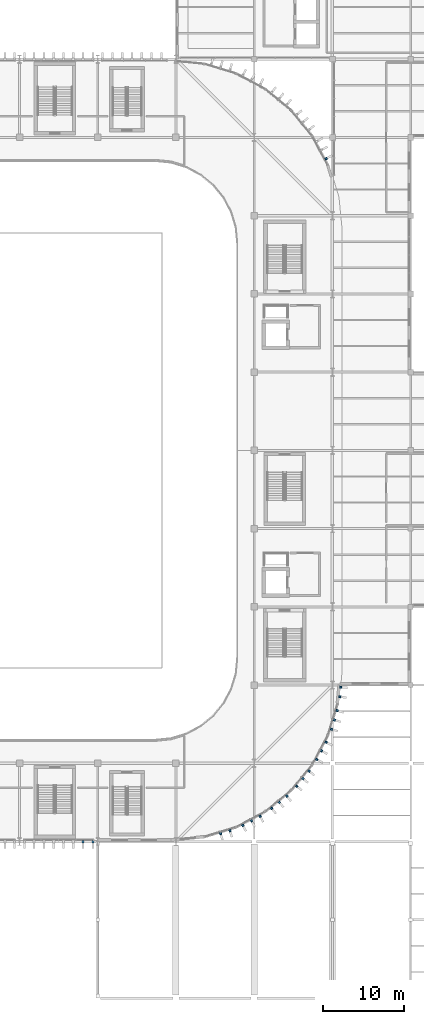
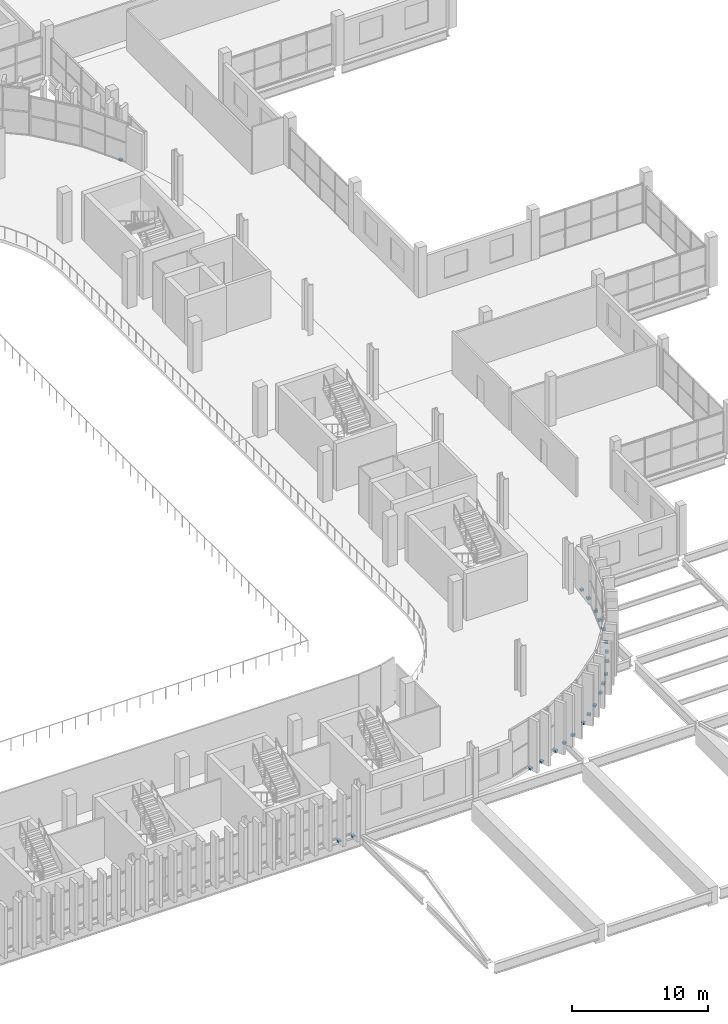
# One storey, part 59 of 75: 22 discrete accessories.
"""IFC4 building model written with IfcOpenShell, lengths in metres."""

from ifc_helpers import new_model, si_unit, direction, frame, origin, origin_2d, place, context, subcontext, project, spatial, rectangle, extrude, material, type_object, element, save


model = new_model("IFC4")

# Units and contexts
model_context = context("Model", 3, precision=1e-05, world=origin(), true_north=direction((0.0, 1.0)))
body_context = subcontext(model_context, "Body", "Model", "MODEL_VIEW")
ifc_project = project(units=[si_unit("LENGTHUNIT", "METRE"), si_unit("AREAUNIT", "SQUARE_METRE"), si_unit("VOLUMEUNIT", "CUBIC_METRE"), si_unit("PLANEANGLEUNIT", "RADIAN"), si_unit("MASSUNIT", "GRAM", prefix="KILO")], contexts=[model_context])

# Site, building, storey
site_placement = place(None, origin())
site = spatial("IfcSite", under=ifc_project, at=site_placement, CompositionType="ELEMENT")
building_placement = place(site_placement, origin())
building = spatial("IfcBuilding", under=site, at=building_placement, Name="Caelomonte Colonnade Arena", CompositionType="ELEMENT")
storey_placement = place(building_placement, frame((0.0, 0.0, 14.10009765625)))
storey = spatial("IfcBuildingStorey", under=building, at=storey_placement, Name="L03", CompositionType="ELEMENT", Elevation=14.10009765625)

# Discrete accessories
ifc_material = material(Name="Steel ASTM A572 Grade 50", Category="steel")
discrete_accessory_type = type_object("IfcDiscreteAccessoryType", Name="ENV-ACC-BRK", PredefinedType="BRACKET", material=ifc_material)
for number, where, z_axis, x_axis, name in (
    (1, (149.475341796875, 20.17236328125, -0.2099609375), (0.0, 0.0, 1.0), (0.956942868907, 0.290276326364, 0.0), "V1 L03 fin support bracket 5"),
    (2, (150.623779296875, 20.5205078125, -0.2099609375), (0.0, 0.0, 1.0), (0.956942868907, 0.290276326364, 0.0), "V1 L03 fin support bracket 6"),
    (3, (152.20751953125, 21.1767578125, -0.2099609375), (0.0, 0.0, 1.0), (0.881921264348, 0.471396736826, 0.0), "V1 L03 fin support bracket 7"),
    (4, (153.265869140625, 21.7421875, -0.2099609375), (0.0, 0.0, 1.0), (0.881921264348, 0.471396736826, 0.0), "V1 L03 fin support bracket 8"),
    (5, (154.32421875, 22.30810546875, -0.2099609375), (0.0, 0.0, 1.0), (0.881921264348, 0.471396736826, 0.0), "V1 L03 fin support bracket 9"),
    (6, (155.74951171875, 23.260498046875, -0.2099609375), (0.0, 0.0, 1.0), (0.77299384472, 0.634413521313, 0.0), "V1 L03 fin support bracket 10"),
    (7, (156.677001953125, 24.021728515625, -0.2099609375), (0.0, 0.0, 1.0), (0.77299384472, 0.634413521313, 0.0), "V1 L03 fin support bracket 11"),
    (8, (157.604736328125, 24.783203125, -0.2099609375), (0.0, 0.0, 1.0), (0.77299384472, 0.634413521313, 0.0), "V1 L03 fin support bracket 12"),
    (9, (158.81689453125, 25.995361328125, -0.2099609375), (0.0, 0.0, 1.0), (0.634413521313, 0.77299384472, 0.0), "V1 L03 fin support bracket 13"),
    (10, (159.578125, 26.9228515625, -0.2099609375), (0.0, 0.0, 1.0), (0.634413521313, 0.77299384472, 0.0), "V1 L03 fin support bracket 14"),
    (11, (160.339599609375, 27.8505859375, -0.2099609375), (0.0, 0.0, 1.0), (0.634413521313, 0.77299384472, 0.0), "V1 L03 fin support bracket 15"),
    (12, (161.2919921875, 29.27587890625, -0.2099609375), (0.0, 0.0, 1.0), (0.471396736826, 0.881921264348, 0.0), "V1 L03 fin support bracket 16"),
    (13, (161.857666015625, 30.334228515625, -0.2099609375), (0.0, 0.0, 1.0), (0.471396736826, 0.881921264348, 0.0), "V1 L03 fin support bracket 17"),
    (14, (162.42333984375, 31.392578125, -0.2099609375), (0.0, 0.0, 1.0), (0.471396736826, 0.881921264348, 0.0), "V1 L03 fin support bracket 18"),
    (15, (163.079345703125, 32.976318359375, -0.2099609375), (0.0, 0.0, 1.0), (0.290276326364, 0.956942868907, 0.0), "V1 L03 fin support bracket 19"),
    (16, (163.427734375, 34.12451171875, -0.2099609375), (0.0, 0.0, 1.0), (0.290276326364, 0.956942868907, 0.0), "V1 L03 fin support bracket 20"),
    (17, (163.77587890625, 35.27294921875, -0.2099609375), (0.0, 0.0, 1.0), (0.290276326364, 0.956942868907, 0.0), "V1 L03 fin support bracket 21"),
    (18, (164.110595703125, 36.954345703125, -0.2099609375), (0.0, 0.0, 1.0), (0.098015403404, 0.995184897743, 0.0), "V1 L03 fin support bracket 22"),
    (19, (164.22802734375, 38.148681640625, -0.2099609375), (0.0, 0.0, 1.0), (0.098015403404, 0.995184897743, 0.0), "V1 L03 fin support bracket 23"),
    (20, (162.42333984375, 103.007568359375, -0.2099609375), (0.0, 0.0, 1.0), (-0.471396736826, 0.881921264348, 0.0), "V1 L03 fin support bracket 75"),
    (21, (132.60009765625, 19.169921875, -0.2099609375), (0.0, 0.0, 1.0), (1.0, 0.0, 0.0), "V1 L03 fin support bracket 284"),
    (22, (133.800048828125, 19.169921875, -0.2099609375), (0.0, 0.0, 1.0), (1.0, 0.0, 0.0), "V1 L03 fin support bracket 285"),
):
    element("IfcDiscreteAccessory", number, at=place(storey_placement, frame(where, z_axis=z_axis, x_axis=x_axis)), inside=storey, type_object=discrete_accessory_type, Name=name, PredefinedType="BRACKET", context=body_context, shape_type="SweptSolid", body=[
        extrude(rectangle(XDim=0.260009765625, YDim=0.260009765625, at=origin_2d()), origin(), (0.0, 0.0, 1.0), 0.179931640625),
    ])

save(model, "model.ifc")
